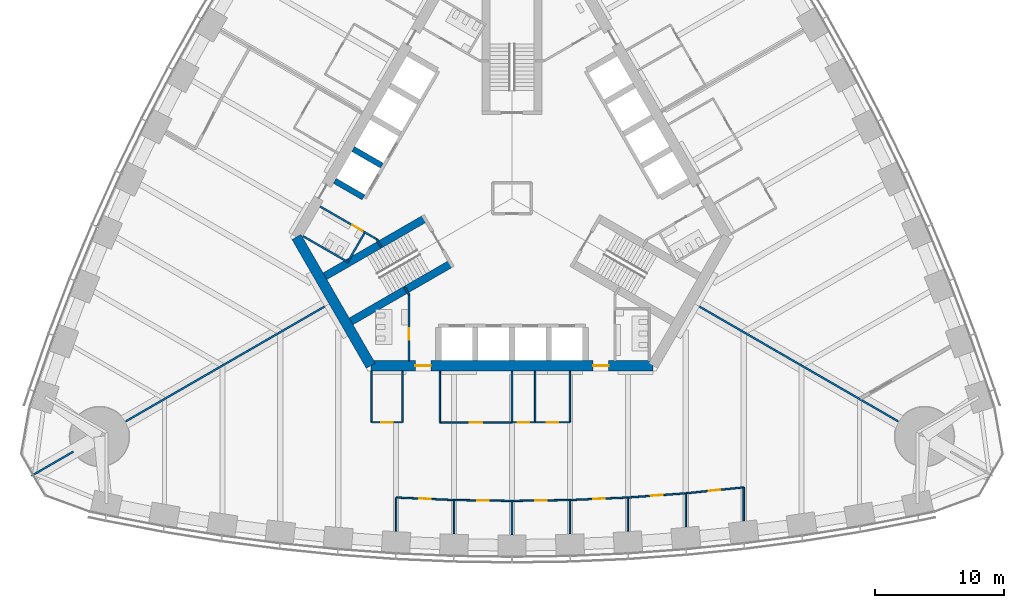
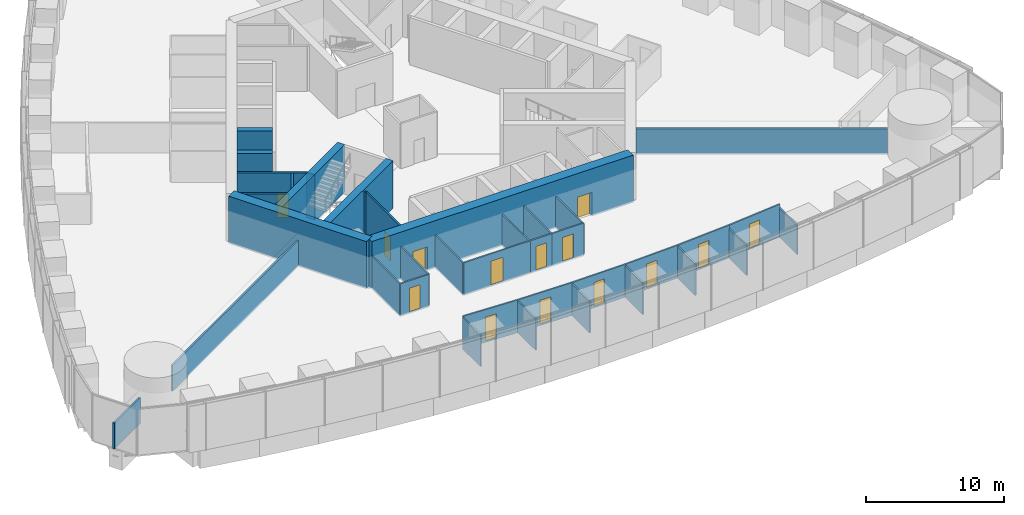
# One storey, part 10 of 18: 38 walls, 14 doors, 14 openings.
"""IFC4 building model written with IfcOpenShell, lengths in metres."""

from ifc_helpers import new_model, si_unit, direction, frame, frame_2d, origin, place, context, subcontext, project, spatial, rectangle, extrude, material, layer, layer_set, type_object, element, fill, save


model = new_model("IFC4")

# Units and contexts
model_context = context("Model", 3, precision=1e-05, world=origin(), true_north=direction((0.0, 1.0)))
body_context = subcontext(model_context, "Body", "Model", "MODEL_VIEW")
ifc_project = project(units=[si_unit("LENGTHUNIT", "METRE"), si_unit("AREAUNIT", "SQUARE_METRE"), si_unit("VOLUMEUNIT", "CUBIC_METRE"), si_unit("PLANEANGLEUNIT", "RADIAN"), si_unit("MASSUNIT", "GRAM", prefix="KILO")], contexts=[model_context])

# Site, building, storey
site_placement = place(None, origin())
site = spatial("IfcSite", under=ifc_project, at=site_placement, CompositionType="ELEMENT")
building_placement = place(site_placement, origin())
building = spatial("IfcBuilding", under=site, at=building_placement, Name="Trefoil Bronze Tower", CompositionType="ELEMENT")
storey_placement = place(building_placement, frame((0.0, 0.0, 71.10009765625)))
storey = spatial("IfcBuildingStorey", under=building, at=storey_placement, Name="L16", CompositionType="ELEMENT", Elevation=71.10009765625)

# Wall, openings, doors
ifc_material_1 = material(Name="Concrete B80", Category="concrete")
ifc_layer_1 = layer(ifc_material_1, 0.800048828125)
ifc_layer_set_1 = layer_set([ifc_layer_1], Name="Core wall 800")
wall_type_1 = type_object("IfcWallType", Name="Core wall 800", PredefinedType="SHEAR", material=ifc_layer_set_1)
wall_1_placement = place(storey_placement, frame((-10.9697265625, -13.0, 0.0), z_axis=(0.0, 0.0, 1.0), x_axis=(1.0, 0.0, 0.0)))
wall_1 = element("IfcWall", 1, at=wall_1_placement, inside=storey, type_object=wall_type_1, Name="Core long wall 1 L16", PredefinedType="SHEAR", context=body_context, shape_type="SweptSolid", body=[
    extrude(rectangle(XDim=21.939453125, YDim=0.800048828125, at=frame_2d((10.9697265625, 0.0))), origin(), (0.0, 0.0, 1.0), 4.199951171875),
])
opening_1_placement = place(wall_1_placement, frame((17.269775390625, 0.0, 0.0)))
opening_1 = element("IfcOpeningElement", 2, at=opening_1_placement, cuts=wall_1, Name="Opening D2", PredefinedType="OPENING", context=body_context, shape_type="SweptSolid", body=[
    extrude(rectangle(XDim=1.199951171875, YDim=2.10009765625, at=frame_2d((0.60009765625, 1.050048828125))), frame((0.0, 0.409912109375, 0.0), z_axis=(0.0, -1.0, 0.0), x_axis=(1.0, 0.0, 0.0)), (0.0, 0.0, 1.0), 0.820068359375),
])
opening_2_placement = place(wall_1_placement, frame((3.4697265625, 0.0, 0.0)))
opening_2 = element("IfcOpeningElement", 3, at=opening_2_placement, cuts=wall_1, Name="Opening D2", PredefinedType="OPENING", context=body_context, shape_type="SweptSolid", body=[
    extrude(rectangle(XDim=1.199951171875, YDim=2.10009765625, at=frame_2d((0.60009765625, 1.050048828125))), frame((0.0, 0.409912109375, 0.0), z_axis=(0.0, -1.0, 0.0), x_axis=(1.0, 0.0, 0.0)), (0.0, 0.0, 1.0), 0.820068359375),
])
ifc_material_2 = material(Name="Steel door", Category="steel")
door_type_1 = type_object("IfcDoorType", Name="Lobby door 1200", OperationType="SINGLE_SWING_RIGHT", PredefinedType="DOOR", material=ifc_material_2)
door_1_placement = place(opening_1_placement, origin())
door_1 = element("IfcDoor", 4, at=door_1_placement, inside=storey, type_object=door_type_1, Name="Lobby door F1+ L16", OperationType="SINGLE_SWING_RIGHT", OverallHeight=2.10009765625, OverallWidth=1.199951171875, PredefinedType="DOOR", context=body_context, shape_type="SweptSolid", body=[
    extrude(rectangle(XDim=1.199951171875, YDim=2.10009765625, at=frame_2d((0.60009765625, 1.050048828125))), frame((0.0, 0.02490234375, 0.0), z_axis=(0.0, -1.0, 0.0), x_axis=(1.0, 0.0, 0.0)), (0.0, 0.0, 1.0), 0.050048828125),
])
fill(opening_1, door_1)
door_2_placement = place(opening_2_placement, origin())
door_2 = element("IfcDoor", 5, at=door_2_placement, inside=storey, type_object=door_type_1, Name="Lobby door F1- L16", OperationType="SINGLE_SWING_LEFT", OverallHeight=2.10009765625, OverallWidth=1.199951171875, PredefinedType="DOOR", context=body_context, shape_type="SweptSolid", body=[
    extrude(rectangle(XDim=1.199951171875, YDim=2.10009765625, at=frame_2d((0.60009765625, 1.050048828125))), frame((0.0, 0.02490234375, 0.0), z_axis=(0.0, -1.0, 0.0), x_axis=(1.0, 0.0, 0.0)), (0.0, 0.0, 1.0), 0.050048828125),
])
fill(opening_2, door_2)

# Wall
wall_2_placement = place(storey_placement, frame((-16.7431640625, -3.0, 0.0), z_axis=(0.0, 0.0, 1.0), x_axis=(0.499995765644, -0.866027848477, 0.0)))
element("IfcWall", 6, at=wall_2_placement, inside=storey, type_object=wall_type_1, Name="Core short wall 3 L16", PredefinedType="SHEAR", context=body_context, shape_type="SweptSolid", body=[
    extrude(rectangle(XDim=11.546875, YDim=0.800048828125, at=frame_2d((5.7734375, 0.0))), origin(), (0.0, 0.0, 1.0), 4.199951171875),
])

# Wall, opening, door
ifc_material_3 = material(Name="Glazed partition", Category="glass")
ifc_layer_2 = layer(ifc_material_3, 0.1201171875)
ifc_layer_set_2 = layer_set([ifc_layer_2], Name="Glazed partition 120")
wall_type_2 = type_object("IfcWallType", Name="Glazed partition 120", PredefinedType="PARTITIONING", material=ifc_layer_set_2)
wall_3_placement = place(storey_placement, frame((1.800048828125, -17.39990234375, 0.0), z_axis=(0.0, 0.0, 1.0), x_axis=(1.0, 0.0, 0.0)))
wall_3 = element("IfcWall", 7, at=wall_3_placement, inside=storey, type_object=wall_type_2, Name="Partition F1 L16", PredefinedType="PARTITIONING", context=body_context, shape_type="SweptSolid", body=[
    extrude(rectangle(XDim=2.699951171875, YDim=0.1201171875, at=frame_2d((1.35009765625, 0.0))), origin(), (0.0, 0.0, 1.0), 2.89990234375),
])
opening_3_placement = place(wall_3_placement, frame((0.89990234375, 0.0, 0.14990234375)))
opening_3 = element("IfcOpeningElement", 8, at=opening_3_placement, cuts=wall_3, Name="Opening D8", PredefinedType="OPENING", context=body_context, shape_type="SweptSolid", body=[
    extrude(rectangle(XDim=0.89990234375, YDim=2.10009765625, at=frame_2d((0.449951171875, 1.050048828125))), frame((0.0, 0.070068359375, 0.0), z_axis=(0.0, -1.0, 0.0), x_axis=(1.0, 0.0, 0.0)), (0.0, 0.0, 1.0), 0.14013671875),
])
ifc_material_4 = material(Name="Timber door", Category="wood")
door_type_2 = type_object("IfcDoorType", Name="Office door 900", OperationType="SINGLE_SWING_LEFT", PredefinedType="DOOR", material=ifc_material_4)
door_3_placement = place(opening_3_placement, origin())
door_3 = element("IfcDoor", 9, at=door_3_placement, inside=storey, type_object=door_type_2, Name="Pantry door F1 L16", OperationType="SINGLE_SWING_LEFT", OverallHeight=2.10009765625, OverallWidth=0.89990234375, PredefinedType="DOOR", context=body_context, shape_type="SweptSolid", body=[
    extrude(rectangle(XDim=0.89990234375, YDim=2.10009765625, at=frame_2d((0.449951171875, 1.050048828125))), frame((0.0, 0.02490234375, 0.0), z_axis=(0.0, -1.0, 0.0), x_axis=(1.0, 0.0, 0.0)), (0.0, 0.0, 1.0), 0.050048828125),
])
fill(opening_3, door_3)

wall_4_placement = place(storey_placement, frame((0.0, -17.39990234375, 0.0), z_axis=(0.0, 0.0, 1.0), x_axis=(1.0, 0.0, 0.0)))
wall_4 = element("IfcWall", 10, at=wall_4_placement, inside=storey, type_object=wall_type_2, Name="Partition F1 L16", PredefinedType="PARTITIONING", context=body_context, shape_type="SweptSolid", body=[
    extrude(rectangle(XDim=1.800048828125, YDim=0.1201171875, at=frame_2d((0.89990234375, 0.0))), origin(), (0.0, 0.0, 1.0), 2.89990234375),
])
opening_4_placement = place(wall_4_placement, frame((0.449951171875, 0.0, 0.14990234375)))
opening_4 = element("IfcOpeningElement", 11, at=opening_4_placement, cuts=wall_4, Name="Opening D8", PredefinedType="OPENING", context=body_context, shape_type="SweptSolid", body=[
    extrude(rectangle(XDim=0.89990234375, YDim=2.10009765625, at=frame_2d((0.449951171875, 1.050048828125))), frame((0.0, 0.070068359375, 0.0), z_axis=(0.0, -1.0, 0.0), x_axis=(1.0, 0.0, 0.0)), (0.0, 0.0, 1.0), 0.14013671875),
])
door_4_placement = place(opening_4_placement, origin())
door_4 = element("IfcDoor", 12, at=door_4_placement, inside=storey, type_object=door_type_2, Name="Focus room door F1 L16", OperationType="SINGLE_SWING_RIGHT", OverallHeight=2.10009765625, OverallWidth=0.89990234375, PredefinedType="DOOR", context=body_context, shape_type="SweptSolid", body=[
    extrude(rectangle(XDim=0.89990234375, YDim=2.10009765625, at=frame_2d((0.449951171875, 1.050048828125))), frame((0.0, 0.02490234375, 0.0), z_axis=(0.0, -1.0, 0.0), x_axis=(1.0, 0.0, 0.0)), (0.0, 0.0, 1.0), 0.050048828125),
])
fill(opening_4, door_4)

wall_5_placement = place(storey_placement, frame((-10.89990234375, -17.39990234375, 0.0), z_axis=(0.0, 0.0, 1.0), x_axis=(1.0, 0.0, 0.0)))
wall_5 = element("IfcWall", 13, at=wall_5_placement, inside=storey, type_object=wall_type_2, Name="Partition F1 L16", PredefinedType="PARTITIONING", context=body_context, shape_type="SweptSolid", body=[
    extrude(rectangle(XDim=2.39990234375, YDim=0.1201171875, at=frame_2d((1.199951171875, 0.0))), origin(), (0.0, 0.0, 1.0), 2.89990234375),
])
opening_5_placement = place(wall_5_placement, frame((0.75, 0.0, 0.14990234375)))
opening_5 = element("IfcOpeningElement", 14, at=opening_5_placement, cuts=wall_5, Name="Opening D8", PredefinedType="OPENING", context=body_context, shape_type="SweptSolid", body=[
    extrude(rectangle(XDim=0.89990234375, YDim=2.10009765625, at=frame_2d((0.449951171875, 1.050048828125))), frame((0.0, 0.070068359375, 0.0), z_axis=(0.0, -1.0, 0.0), x_axis=(1.0, 0.0, 0.0)), (0.0, 0.0, 1.0), 0.14013671875),
])
door_5_placement = place(opening_5_placement, origin())
door_5 = element("IfcDoor", 15, at=door_5_placement, inside=storey, type_object=door_type_2, Name="Store door F1 L16", OperationType="SINGLE_SWING_LEFT", OverallHeight=2.10009765625, OverallWidth=0.89990234375, PredefinedType="DOOR", context=body_context, shape_type="SweptSolid", body=[
    extrude(rectangle(XDim=0.89990234375, YDim=2.10009765625, at=frame_2d((0.449951171875, 1.050048828125))), frame((0.0, 0.02490234375, 0.0), z_axis=(0.0, -1.0, 0.0), x_axis=(1.0, 0.0, 0.0)), (0.0, 0.0, 1.0), 0.050048828125),
])
fill(opening_5, door_5)

wall_6_placement = place(storey_placement, frame((-5.60009765625, -17.39990234375, 0.0), z_axis=(0.0, 0.0, 1.0), x_axis=(1.0, 0.0, 0.0)))
wall_6 = element("IfcWall", 16, at=wall_6_placement, inside=storey, type_object=wall_type_2, Name="Partition F1 L16", PredefinedType="PARTITIONING", context=body_context, shape_type="SweptSolid", body=[
    extrude(rectangle(XDim=5.60009765625, YDim=0.1201171875, at=frame_2d((2.800048828125, 0.0))), origin(), (0.0, 0.0, 1.0), 2.89990234375),
])
opening_6_placement = place(wall_6_placement, frame((2.300048828125, 0.0, 0.14990234375)))
opening_6 = element("IfcOpeningElement", 17, at=opening_6_placement, cuts=wall_6, Name="Opening D9", PredefinedType="OPENING", context=body_context, shape_type="SweptSolid", body=[
    extrude(rectangle(XDim=1.0, YDim=2.10009765625, at=frame_2d((0.5, 1.050048828125))), frame((0.0, 0.070068359375, 0.0), z_axis=(0.0, -1.0, 0.0), x_axis=(1.0, 0.0, 0.0)), (0.0, 0.0, 1.0), 0.14013671875),
])
ifc_material_5 = material(Name="Glazed timber door", Category="wood")
door_type_3 = type_object("IfcDoorType", Name="Meeting room door 1000", OperationType="SINGLE_SWING_LEFT", PredefinedType="DOOR", material=ifc_material_5)
door_6_placement = place(opening_6_placement, origin())
door_6 = element("IfcDoor", 18, at=door_6_placement, inside=storey, type_object=door_type_3, Name="Meeting room door F1 L16", OperationType="SINGLE_SWING_LEFT", OverallHeight=2.10009765625, OverallWidth=1.0, PredefinedType="DOOR", context=body_context, shape_type="SweptSolid", body=[
    extrude(rectangle(XDim=1.0, YDim=2.10009765625, at=frame_2d((0.5, 1.050048828125))), frame((0.0, 0.02490234375, 0.0), z_axis=(0.0, -1.0, 0.0), x_axis=(1.0, 0.0, 0.0)), (0.0, 0.0, 1.0), 0.050048828125),
])
fill(opening_6, door_6)

# Walls
wall_7_placement = place(storey_placement, frame((1.800048828125, -13.39990234375, 0.0), z_axis=(0.0, 0.0, 1.0), x_axis=(0.0, -1.0, 0.0)))
element("IfcWall", 19, at=wall_7_placement, inside=storey, type_object=wall_type_2, Name="Partition F1 L16", PredefinedType="PARTITIONING", context=body_context, shape_type="SweptSolid", body=[
    extrude(rectangle(XDim=4.0, YDim=0.1201171875, at=frame_2d((2.0, 0.0))), origin(), (0.0, 0.0, 1.0), 2.89990234375),
])
for number, where, z_axis, x_axis, name in (
    (20, (4.5, -13.39990234375, 0.0), (0.0, 0.0, 1.0), (0.0, -1.0, 0.0), "Partition F1 L16"),
    (21, (0.0, -13.39990234375, 0.0), (0.0, 0.0, 1.0), (0.0, -1.0, 0.0), "Partition F1 L16"),
):
    element("IfcWall", number, at=place(storey_placement, frame(where, z_axis=z_axis, x_axis=x_axis)), inside=storey, type_object=wall_type_2, Name=name, PredefinedType="PARTITIONING", context=body_context, shape_type="SweptSolid", body=[
        extrude(rectangle(XDim=4.0, YDim=0.1201171875, at=frame_2d((2.0, 0.0))), origin(), (0.0, 0.0, 1.0), 2.7998046875),
    ])
for number, where, z_axis, x_axis, name in (
    (22, (-10.89990234375, -13.39990234375, 0.0), (0.0, 0.0, 1.0), (0.0, -1.0, 0.0), "Partition F1 L16"),
    (23, (-5.60009765625, -13.39990234375, 0.0), (0.0, 0.0, 1.0), (0.0, -1.0, 0.0), "Partition F1 L16"),
    (24, (-8.5, -13.39990234375, 0.0), (0.0, 0.0, 1.0), (0.0, -1.0, 0.0), "Partition F1 L16"),
):
    element("IfcWall", number, at=place(storey_placement, frame(where, z_axis=z_axis, x_axis=x_axis)), inside=storey, type_object=wall_type_2, Name=name, PredefinedType="PARTITIONING", context=body_context, shape_type="SweptSolid", body=[
        extrude(rectangle(XDim=4.0, YDim=0.1201171875, at=frame_2d((2.0, 0.0))), origin(), (0.0, 0.0, 1.0), 2.89990234375),
    ])

# Wall, opening, door
wall_8_placement = place(storey_placement, frame((0.0, -23.498779296875, 0.0), z_axis=(0.0, 0.0, 1.0), x_axis=(0.999894311967, 0.014538393859, 0.0)))
wall_8 = element("IfcWall", 25, at=wall_8_placement, inside=storey, type_object=wall_type_2, Name="Partition F1 L16", PredefinedType="PARTITIONING", context=body_context, shape_type="SweptSolid", body=[
    extrude(rectangle(XDim=4.50048828125, YDim=0.1201171875, at=frame_2d((2.250244140625, 0.0))), origin(), (0.0, 0.0, 1.0), 2.89990234375),
])
opening_7_placement = place(wall_8_placement, frame((1.800048828125, 0.0, 0.14990234375)))
opening_7 = element("IfcOpeningElement", 26, at=opening_7_placement, cuts=wall_8, Name="Opening D8", PredefinedType="OPENING", context=body_context, shape_type="SweptSolid", body=[
    extrude(rectangle(XDim=0.89990234375, YDim=2.10009765625, at=frame_2d((0.449951171875, 1.050048828125))), frame((0.0, 0.070068359375, 0.0), z_axis=(0.0, -1.0, 0.0), x_axis=(1.0, 0.0, 0.0)), (0.0, 0.0, 1.0), 0.14013671875),
])
door_7_placement = place(opening_7_placement, frame((0.89990234375, 0.0, 0.0), z_axis=(0.0, 0.0, 1.0), x_axis=(-1.0, 0.0, 0.0)))
door_7 = element("IfcDoor", 27, at=door_7_placement, inside=storey, type_object=door_type_2, Name="Office door F1 L16", OperationType="SINGLE_SWING_RIGHT", OverallHeight=2.10009765625, OverallWidth=0.89990234375, PredefinedType="DOOR", context=body_context, shape_type="SweptSolid", body=[
    extrude(rectangle(XDim=0.89990234375, YDim=2.10009765625, at=frame_2d((0.449951171875, 1.050048828125))), frame((0.0, 0.02490234375, 0.0), z_axis=(0.0, -1.0, 0.0), x_axis=(1.0, 0.0, 0.0)), (0.0, 0.0, 1.0), 0.050048828125),
])
fill(opening_7, door_7)

wall_9_placement = place(storey_placement, frame((13.5, -22.909912109375, 0.0), z_axis=(0.0, 0.0, 1.0), x_axis=(0.994833141332, 0.101523499286, 0.0)))
wall_9 = element("IfcWall", 28, at=wall_9_placement, inside=storey, type_object=wall_type_2, Name="Partition F1 L16", PredefinedType="PARTITIONING", context=body_context, shape_type="SweptSolid", body=[
    extrude(rectangle(XDim=4.5234375, YDim=0.1201171875, at=frame_2d((2.26171875, 0.0))), origin(), (0.0, 0.0, 1.0), 2.89990234375),
])
opening_8_placement = place(wall_9_placement, frame((1.800048828125, 0.0, 0.14990234375)))
opening_8 = element("IfcOpeningElement", 29, at=opening_8_placement, cuts=wall_9, Name="Opening D8", PredefinedType="OPENING", context=body_context, shape_type="SweptSolid", body=[
    extrude(rectangle(XDim=0.89990234375, YDim=2.10009765625, at=frame_2d((0.449951171875, 1.050048828125))), frame((0.0, 0.070068359375, 0.0), z_axis=(0.0, -1.0, 0.0), x_axis=(1.0, 0.0, 0.0)), (0.0, 0.0, 1.0), 0.14013671875),
])
door_8_placement = place(opening_8_placement, frame((0.89990234375, 0.0, 0.0), z_axis=(0.0, 0.0, 1.0), x_axis=(-1.0, 0.0, 0.0)))
door_8 = element("IfcDoor", 30, at=door_8_placement, inside=storey, type_object=door_type_2, Name="Office door F1 L16", OperationType="SINGLE_SWING_RIGHT", OverallHeight=2.10009765625, OverallWidth=0.89990234375, PredefinedType="DOOR", context=body_context, shape_type="SweptSolid", body=[
    extrude(rectangle(XDim=0.89990234375, YDim=2.10009765625, at=frame_2d((0.449951171875, 1.050048828125))), frame((0.0, 0.02490234375, 0.0), z_axis=(0.0, -1.0, 0.0), x_axis=(1.0, 0.0, 0.0)), (0.0, 0.0, 1.0), 0.050048828125),
])
fill(opening_8, door_8)

wall_10_placement = place(storey_placement, frame((4.5, -23.433349609375, 0.0), z_axis=(0.0, 0.0, 1.0), x_axis=(0.999052370647, 0.043524254212, 0.0)))
wall_10 = element("IfcWall", 31, at=wall_10_placement, inside=storey, type_object=wall_type_2, Name="Partition F1 L16", PredefinedType="PARTITIONING", context=body_context, shape_type="SweptSolid", body=[
    extrude(rectangle(XDim=4.504150390625, YDim=0.1201171875, at=frame_2d((2.251953125, 0.0))), origin(), (0.0, 0.0, 1.0), 2.89990234375),
])
opening_9_placement = place(wall_10_placement, frame((1.800048828125, 0.0, 0.14990234375)))
opening_9 = element("IfcOpeningElement", 32, at=opening_9_placement, cuts=wall_10, Name="Opening D8", PredefinedType="OPENING", context=body_context, shape_type="SweptSolid", body=[
    extrude(rectangle(XDim=0.89990234375, YDim=2.10009765625, at=frame_2d((0.449951171875, 1.050048828125))), frame((0.0, 0.070068359375, 0.0), z_axis=(0.0, -1.0, 0.0), x_axis=(1.0, 0.0, 0.0)), (0.0, 0.0, 1.0), 0.14013671875),
])
door_9_placement = place(opening_9_placement, frame((0.89990234375, 0.0, 0.0), z_axis=(0.0, 0.0, 1.0), x_axis=(-1.0, 0.0, 0.0)))
door_9 = element("IfcDoor", 33, at=door_9_placement, inside=storey, type_object=door_type_2, Name="Office door F1 L16", OperationType="SINGLE_SWING_RIGHT", OverallHeight=2.10009765625, OverallWidth=0.89990234375, PredefinedType="DOOR", context=body_context, shape_type="SweptSolid", body=[
    extrude(rectangle(XDim=0.89990234375, YDim=2.10009765625, at=frame_2d((0.449951171875, 1.050048828125))), frame((0.0, 0.02490234375, 0.0), z_axis=(0.0, -1.0, 0.0), x_axis=(1.0, 0.0, 0.0)), (0.0, 0.0, 1.0), 0.050048828125),
])
fill(opening_9, door_9)

wall_11_placement = place(storey_placement, frame((9.0, -23.2373046875, 0.0), z_axis=(0.0, 0.0, 1.0), x_axis=(0.997363894896, 0.072562119306, 0.0)))
wall_11 = element("IfcWall", 34, at=wall_11_placement, inside=storey, type_object=wall_type_2, Name="Partition F1 L16", PredefinedType="PARTITIONING", context=body_context, shape_type="SweptSolid", body=[
    extrude(rectangle(XDim=4.511962890625, YDim=0.1201171875, at=frame_2d((2.255859375, 0.0))), origin(), (0.0, 0.0, 1.0), 2.89990234375),
])
opening_10_placement = place(wall_11_placement, frame((1.800048828125, 0.0, 0.14990234375)))
opening_10 = element("IfcOpeningElement", 35, at=opening_10_placement, cuts=wall_11, Name="Opening D8", PredefinedType="OPENING", context=body_context, shape_type="SweptSolid", body=[
    extrude(rectangle(XDim=0.89990234375, YDim=2.10009765625, at=frame_2d((0.449951171875, 1.050048828125))), frame((0.0, 0.070068359375, 0.0), z_axis=(0.0, -1.0, 0.0), x_axis=(1.0, 0.0, 0.0)), (0.0, 0.0, 1.0), 0.14013671875),
])
door_10_placement = place(opening_10_placement, frame((0.89990234375, 0.0, 0.0), z_axis=(0.0, 0.0, 1.0), x_axis=(-1.0, 0.0, 0.0)))
door_10 = element("IfcDoor", 36, at=door_10_placement, inside=storey, type_object=door_type_2, Name="Office door F1 L16", OperationType="SINGLE_SWING_RIGHT", OverallHeight=2.10009765625, OverallWidth=0.89990234375, PredefinedType="DOOR", context=body_context, shape_type="SweptSolid", body=[
    extrude(rectangle(XDim=0.89990234375, YDim=2.10009765625, at=frame_2d((0.449951171875, 1.050048828125))), frame((0.0, 0.02490234375, 0.0), z_axis=(0.0, -1.0, 0.0), x_axis=(1.0, 0.0, 0.0)), (0.0, 0.0, 1.0), 0.050048828125),
])
fill(opening_10, door_10)

wall_12_placement = place(storey_placement, frame((-4.5, -23.433349609375, 0.0), z_axis=(0.0, 0.0, 1.0), x_axis=(0.999894311967, -0.014538393859, 0.0)))
wall_12 = element("IfcWall", 37, at=wall_12_placement, inside=storey, type_object=wall_type_2, Name="Partition F1 L16", PredefinedType="PARTITIONING", context=body_context, shape_type="SweptSolid", body=[
    extrude(rectangle(XDim=4.50048828125, YDim=0.1201171875, at=frame_2d((2.250244140625, 0.0))), origin(), (0.0, 0.0, 1.0), 2.89990234375),
])
opening_11_placement = place(wall_12_placement, frame((1.800048828125, 0.0, 0.14990234375)))
opening_11 = element("IfcOpeningElement", 38, at=opening_11_placement, cuts=wall_12, Name="Opening D8", PredefinedType="OPENING", context=body_context, shape_type="SweptSolid", body=[
    extrude(rectangle(XDim=0.89990234375, YDim=2.10009765625, at=frame_2d((0.449951171875, 1.050048828125))), frame((0.0, 0.070068359375, 0.0), z_axis=(0.0, -1.0, 0.0), x_axis=(1.0, 0.0, 0.0)), (0.0, 0.0, 1.0), 0.14013671875),
])
door_11_placement = place(opening_11_placement, frame((0.89990234375, 0.0, 0.0), z_axis=(0.0, 0.0, 1.0), x_axis=(-1.0, 0.0, 0.0)))
door_11 = element("IfcDoor", 39, at=door_11_placement, inside=storey, type_object=door_type_2, Name="Office door F1 L16", OperationType="SINGLE_SWING_RIGHT", OverallHeight=2.10009765625, OverallWidth=0.89990234375, PredefinedType="DOOR", context=body_context, shape_type="SweptSolid", body=[
    extrude(rectangle(XDim=0.89990234375, YDim=2.10009765625, at=frame_2d((0.449951171875, 1.050048828125))), frame((0.0, 0.02490234375, 0.0), z_axis=(0.0, -1.0, 0.0), x_axis=(1.0, 0.0, 0.0)), (0.0, 0.0, 1.0), 0.050048828125),
])
fill(opening_11, door_11)

wall_13_placement = place(storey_placement, frame((-9.0, -23.2373046875, 0.0), z_axis=(0.0, 0.0, 1.0), x_axis=(0.999052370647, -0.043524254212, 0.0)))
wall_13 = element("IfcWall", 40, at=wall_13_placement, inside=storey, type_object=wall_type_2, Name="Partition F1 L16", PredefinedType="PARTITIONING", context=body_context, shape_type="SweptSolid", body=[
    extrude(rectangle(XDim=4.504150390625, YDim=0.1201171875, at=frame_2d((2.251953125, 0.0))), origin(), (0.0, 0.0, 1.0), 2.89990234375),
])
opening_12_placement = place(wall_13_placement, frame((1.800048828125, 0.0, 0.14990234375)))
opening_12 = element("IfcOpeningElement", 41, at=opening_12_placement, cuts=wall_13, Name="Opening D8", PredefinedType="OPENING", context=body_context, shape_type="SweptSolid", body=[
    extrude(rectangle(XDim=0.89990234375, YDim=2.10009765625, at=frame_2d((0.449951171875, 1.050048828125))), frame((0.0, 0.070068359375, 0.0), z_axis=(0.0, -1.0, 0.0), x_axis=(1.0, 0.0, 0.0)), (0.0, 0.0, 1.0), 0.14013671875),
])
door_12_placement = place(opening_12_placement, frame((0.89990234375, 0.0, 0.0), z_axis=(0.0, 0.0, 1.0), x_axis=(-1.0, 0.0, 0.0)))
door_12 = element("IfcDoor", 42, at=door_12_placement, inside=storey, type_object=door_type_2, Name="Office door F1 L16", OperationType="SINGLE_SWING_RIGHT", OverallHeight=2.10009765625, OverallWidth=0.89990234375, PredefinedType="DOOR", context=body_context, shape_type="SweptSolid", body=[
    extrude(rectangle(XDim=0.89990234375, YDim=2.10009765625, at=frame_2d((0.449951171875, 1.050048828125))), frame((0.0, 0.02490234375, 0.0), z_axis=(0.0, -1.0, 0.0), x_axis=(1.0, 0.0, 0.0)), (0.0, 0.0, 1.0), 0.050048828125),
])
fill(opening_12, door_12)

# Walls
wall_14_placement = place(storey_placement, frame((0.0, -23.498779296875, 0.0), z_axis=(0.0, 0.0, 1.0), x_axis=(0.0, -1.0, 0.0)))
element("IfcWall", 43, at=wall_14_placement, inside=storey, type_object=wall_type_2, Name="Partition F1 L16", PredefinedType="PARTITIONING", context=body_context, shape_type="SweptSolid", body=[
    extrude(rectangle(XDim=2.619873046875, YDim=0.1201171875, at=frame_2d((1.31005859375, 0.0))), origin(), (0.0, 0.0, 1.0), 2.7998046875),
])
wall_15_placement = place(storey_placement, frame((13.5, -22.909912109375, 0.0), z_axis=(0.0, 0.0, 1.0), x_axis=(0.0, -1.0, 0.0)))
element("IfcWall", 44, at=wall_15_placement, inside=storey, type_object=wall_type_2, Name="Partition F1 L16", PredefinedType="PARTITIONING", context=body_context, shape_type="SweptSolid", body=[
    extrude(rectangle(XDim=2.614013671875, YDim=0.1201171875, at=frame_2d((1.30712890625, 0.0))), origin(), (0.0, 0.0, 1.0), 2.599853515625),
])
wall_16_placement = place(storey_placement, frame((18.0, -22.45068359375, 0.0), z_axis=(0.0, 0.0, 1.0), x_axis=(0.0, -1.0, 0.0)))
element("IfcWall", 45, at=wall_16_placement, inside=storey, type_object=wall_type_2, Name="Partition F1 L16", PredefinedType="PARTITIONING", context=body_context, shape_type="SweptSolid", body=[
    extrude(rectangle(XDim=2.60888671875, YDim=0.1201171875, at=frame_2d((1.304443359375, 0.0))), origin(), (0.0, 0.0, 1.0), 2.599853515625),
])
wall_17_placement = place(storey_placement, frame((4.5, -23.433349609375, 0.0), z_axis=(0.0, 0.0, 1.0), x_axis=(0.0, -1.0, 0.0)))
element("IfcWall", 46, at=wall_17_placement, inside=storey, type_object=wall_type_2, Name="Partition F1 L16", PredefinedType="PARTITIONING", context=body_context, shape_type="SweptSolid", body=[
    extrude(rectangle(XDim=2.619384765625, YDim=0.1201171875, at=frame_2d((1.3095703125, 0.0))), origin(), (0.0, 0.0, 1.0), 2.7998046875),
])
wall_18_placement = place(storey_placement, frame((9.0, -23.2373046875, 0.0), z_axis=(0.0, 0.0, 1.0), x_axis=(0.0, -1.0, 0.0)))
element("IfcWall", 47, at=wall_18_placement, inside=storey, type_object=wall_type_2, Name="Partition F1 L16", PredefinedType="PARTITIONING", context=body_context, shape_type="SweptSolid", body=[
    extrude(rectangle(XDim=2.617431640625, YDim=0.1201171875, at=frame_2d((1.30859375, 0.0))), origin(), (0.0, 0.0, 1.0), 2.7998046875),
])
wall_19_placement = place(storey_placement, frame((-4.5, -23.433349609375, 0.0), z_axis=(0.0, 0.0, 1.0), x_axis=(0.0, -1.0, 0.0)))
element("IfcWall", 48, at=wall_19_placement, inside=storey, type_object=wall_type_2, Name="Partition F1 L16", PredefinedType="PARTITIONING", context=body_context, shape_type="SweptSolid", body=[
    extrude(rectangle(XDim=2.619384765625, YDim=0.1201171875, at=frame_2d((1.3095703125, 0.0))), origin(), (0.0, 0.0, 1.0), 2.7998046875),
])
wall_20_placement = place(storey_placement, frame((-9.0, -23.2373046875, 0.0), z_axis=(0.0, 0.0, 1.0), x_axis=(0.0, -1.0, 0.0)))
element("IfcWall", 49, at=wall_20_placement, inside=storey, type_object=wall_type_2, Name="Partition F1 L16", PredefinedType="PARTITIONING", context=body_context, shape_type="SweptSolid", body=[
    extrude(rectangle(XDim=2.617431640625, YDim=0.1201171875, at=frame_2d((1.30859375, 0.0))), origin(), (0.0, 0.0, 1.0), 2.7998046875),
])
ifc_material_6 = material(Name="Concrete B80", Category="concrete")
ifc_layer_3 = layer(ifc_material_6, 0.449951171875)
ifc_layer_set_3 = layer_set([ifc_layer_3], Name="Outrigger shaft wall 450")
wall_type_3 = type_object("IfcWallType", Name="Outrigger shaft wall 450", PredefinedType="SHEAR", material=ifc_layer_set_3)
for number, where, z_axis, x_axis, name in (
    (50, (-10.10693359375, 2.54443359375, 0.0), (0.0, 0.0, 1.0), (-0.866046643894, 0.499963209246, 0.0), "Lift shaft side wall C3 L16"),
    (51, (-11.531982421875, 0.076171875, 0.0), (0.0, 0.0, 1.0), (-0.866005588531, 0.500034319456, 0.0), "Lift shaft side wall C4 L16"),
):
    element("IfcWall", number, at=place(storey_placement, frame(where, z_axis=z_axis, x_axis=x_axis)), inside=storey, type_object=wall_type_3, Name=name, PredefinedType="SHEAR", context=body_context, shape_type="SweptSolid", body=[
        extrude(rectangle(XDim=2.574951171875, YDim=0.449951171875, at=frame_2d((1.28759765625, 0.0))), origin(), (0.0, 0.0, 1.0), 4.199951171875),
    ])

# Wall, opening, door
ifc_material_7 = material(Name="Gypsum board on steel studs", Category="steel")
ifc_layer_4 = layer(ifc_material_7, 0.14990234375)
ifc_layer_set_4 = layer_set([ifc_layer_4], Name="Partition 150")
wall_type_4 = type_object("IfcWallType", Name="Partition 150", PredefinedType="PARTITIONING", material=ifc_layer_set_4)
wall_21_placement = place(storey_placement, frame((-8.0, -7.5, 0.0), z_axis=(0.0, 0.0, 1.0), x_axis=(0.0, -1.0, 0.0)))
wall_21 = element("IfcWall", 52, at=wall_21_placement, inside=storey, type_object=wall_type_4, Name="Passage wall F1- L16", PredefinedType="PARTITIONING", context=body_context, shape_type="SweptSolid", body=[
    extrude(rectangle(XDim=5.10009765625, YDim=0.14990234375, at=frame_2d((2.550048828125, 0.0))), origin(), (0.0, 0.0, 1.0), 4.0),
])
opening_13_placement = place(wall_21_placement, frame((2.60009765625, 0.0, 0.0)))
opening_13 = element("IfcOpeningElement", 53, at=opening_13_placement, cuts=wall_21, Name="Opening D3", PredefinedType="OPENING", context=body_context, shape_type="SweptSolid", body=[
    extrude(rectangle(XDim=0.89990234375, YDim=2.10009765625, at=frame_2d((0.449951171875, 1.050048828125))), frame((0.0, 0.0849609375, 0.0), z_axis=(0.0, -1.0, 0.0), x_axis=(1.0, 0.0, 0.0)), (0.0, 0.0, 1.0), 0.169921875),
])
ifc_material_8 = material(Name="Timber door", Category="wood")
door_type_4 = type_object("IfcDoorType", Name="WC door 900", OperationType="SINGLE_SWING_LEFT", PredefinedType="DOOR", material=ifc_material_8)
door_13_placement = place(opening_13_placement, frame((0.89990234375, 0.0, 0.0), z_axis=(0.0, 0.0, 1.0), x_axis=(-1.0, 0.0, 0.0)))
door_13 = element("IfcDoor", 54, at=door_13_placement, inside=storey, type_object=door_type_4, Name="WC (women) door L16", OperationType="SINGLE_SWING_LEFT", OverallHeight=2.10009765625, OverallWidth=0.89990234375, PredefinedType="DOOR", context=body_context, shape_type="SweptSolid", body=[
    extrude(rectangle(XDim=0.89990234375, YDim=2.10009765625, at=frame_2d((0.449951171875, 1.050048828125))), frame((0.0, 0.02490234375, 0.0), z_axis=(0.0, -1.0, 0.0), x_axis=(1.0, 0.0, 0.0)), (0.0, 0.0, 1.0), 0.050048828125),
])
fill(opening_13, door_13)

wall_22_placement = place(storey_placement, frame((-10.4951171875, -3.17822265625, 0.0), z_axis=(0.0, 0.0, 1.0), x_axis=(-0.86602216432, 0.500005610874, 0.0)))
wall_22 = element("IfcWall", 55, at=wall_22_placement, inside=storey, type_object=wall_type_4, Name="Passage wall F3+ L16", PredefinedType="PARTITIONING", context=body_context, shape_type="SweptSolid", body=[
    extrude(rectangle(XDim=5.10009765625, YDim=0.14990234375, at=frame_2d((2.550048828125, 0.0))), origin(), (0.0, 0.0, 1.0), 4.0),
])
opening_14_placement = place(wall_22_placement, frame((1.300048828125, 0.0, 0.0)))
opening_14 = element("IfcOpeningElement", 56, at=opening_14_placement, cuts=wall_22, Name="Opening D3", PredefinedType="OPENING", context=body_context, shape_type="SweptSolid", body=[
    extrude(rectangle(XDim=0.89990234375, YDim=2.10009765625, at=frame_2d((0.449951171875, 1.050048828125))), frame((0.0, 0.0849609375, 0.0), z_axis=(0.0, -1.0, 0.0), x_axis=(1.0, 0.0, 0.0)), (0.0, 0.0, 1.0), 0.169921875),
])
door_14_placement = place(opening_14_placement, origin())
door_14 = element("IfcDoor", 57, at=door_14_placement, inside=storey, type_object=door_type_4, Name="WC (men) door L16", OperationType="SINGLE_SWING_LEFT", OverallHeight=2.10009765625, OverallWidth=0.89990234375, PredefinedType="DOOR", context=body_context, shape_type="SweptSolid", body=[
    extrude(rectangle(XDim=0.89990234375, YDim=2.10009765625, at=frame_2d((0.449951171875, 1.050048828125))), frame((0.0, 0.02490234375, 0.0), z_axis=(0.0, -1.0, 0.0), x_axis=(1.0, 0.0, 0.0)), (0.0, 0.0, 1.0), 0.050048828125),
])
fill(opening_14, door_14)

# Walls
for number, where, z_axis, x_axis, name in (
    (58, (-10.4951171875, -3.17822265625, 0.0), (0.0, 0.0, 1.0), (0.499842556608, -0.866116284689, 0.0), "WC wall ST3-1 L16"),
    (59, (-8.0, -7.5, 0.0), (0.0, 0.0, 1.0), (-0.499842556608, 0.866116284689, 0.0), "WC wall ST3+1 L16"),
):
    element("IfcWall", number, at=place(storey_placement, frame(where, z_axis=z_axis, x_axis=x_axis)), inside=storey, type_object=wall_type_4, Name=name, PredefinedType="PARTITIONING", context=body_context, shape_type="SweptSolid", body=[
        extrude(rectangle(XDim=0.645263671875, YDim=0.14990234375, at=frame_2d((0.32275390625, 0.0))), origin(), (0.0, 0.0, 1.0), 4.0),
    ])
wall_23_placement = place(storey_placement, frame((-12.691162109375, -4.98193359375, 0.0), z_axis=(0.0, 0.0, 1.0), x_axis=(-0.8660249478, 0.500000789788, 0.0)))
element("IfcWall", 60, at=wall_23_placement, inside=storey, type_object=wall_type_4, Name="WC partition WC (men) L16", PredefinedType="PARTITIONING", context=body_context, shape_type="SweptSolid", body=[
    extrude(rectangle(XDim=4.10009765625, YDim=0.14990234375, at=frame_2d((2.050048828125, 0.0))), origin(), (0.0, 0.0, 1.0), 4.0),
])
wall_24_placement = place(storey_placement, frame((-11.463623046875, -2.70556640625, 0.0), z_axis=(0.0, 0.0, 1.0), x_axis=(-0.50001992892, -0.866013897511, 0.0)))
element("IfcWall", 61, at=wall_24_placement, inside=storey, type_object=wall_type_4, Name="WC partition WC (men) L16", PredefinedType="PARTITIONING", context=body_context, shape_type="SweptSolid", body=[
    extrude(rectangle(XDim=2.51025390625, YDim=0.14990234375, at=frame_2d((1.255126953125, 0.0))), origin(), (0.0, 0.0, 1.0), 4.0),
])
ifc_material_9 = material(Name="Gypsum board on steel studs", Category="steel")
ifc_layer_5 = layer(ifc_material_9, 0.14990234375)
ifc_layer_set_5 = layer_set([ifc_layer_5], Name="Party wall 150")
wall_type_5 = type_object("IfcWallType", Name="Party wall 150", PredefinedType="PARTITIONING", material=ifc_layer_set_5)
for number, where, z_axis, x_axis, name in (
    (62, (14.202880859375, -8.199951171875, 0.0), (0.0, 0.0, 1.0), (0.866024965723, -0.500000758745, 0.0), "Party wall K1 L16"),
    (63, (-14.202880859375, -8.199951171875, 0.0), (0.0, 0.0, 1.0), (-0.866024965723, -0.500000758745, 0.0), "Party wall K3 L16"),
):
    element("IfcWall", number, at=place(storey_placement, frame(where, z_axis=z_axis, x_axis=x_axis)), inside=storey, type_object=wall_type_5, Name=name, PredefinedType="PARTITIONING", context=body_context, shape_type="SweptSolid", body=[
        extrude(rectangle(XDim=18.25, YDim=0.14990234375, at=frame_2d((9.125, 0.0))), origin(), (0.0, 0.0, 1.0), 2.2998046875),
    ])
wall_25_placement = place(storey_placement, frame((-34.078125, -19.675048828125, 0.0), z_axis=(0.0, 0.0, 1.0), x_axis=(-0.866019247219, -0.500010663332, 0.0)))
element("IfcWall", 64, at=wall_25_placement, inside=storey, type_object=wall_type_5, Name="Party wall K3 L16", PredefinedType="PARTITIONING", context=body_context, shape_type="SweptSolid", body=[
    extrude(rectangle(XDim=3.76416015625, YDim=0.14990234375, at=frame_2d((1.882080078125, 0.0))), origin(), (0.0, 0.0, 1.0), 2.2998046875),
])
ifc_material_10 = material(Name="Concrete B80", Category="concrete")
ifc_layer_6 = layer(ifc_material_10, 0.60009765625)
ifc_layer_set_6 = layer_set([ifc_layer_6], Name="Stair wall 600")
wall_type_6 = type_object("IfcWallType", Name="Stair wall 600", PredefinedType="SHEAR", material=ifc_layer_set_6)
for number, where, z_axis, x_axis, name in (
    (65, (-6.663330078125, -1.5087890625, 0.0), (0.0, 0.0, 1.0), (-0.866019375473, -0.500010441196, 0.0), "Stair wall ST3 L16"),
    (66, (-4.638427734375, -5.01611328125, 0.0), (0.0, 0.0, 1.0), (-0.866019375473, -0.500010441196, 0.0), "Stair wall ST3 L16"),
):
    element("IfcWall", number, at=place(storey_placement, frame(where, z_axis=z_axis, x_axis=x_axis)), inside=storey, type_object=wall_type_6, Name=name, PredefinedType="SHEAR", context=body_context, shape_type="SweptSolid", body=[
        extrude(rectangle(XDim=9.074951171875, YDim=0.60009765625, at=frame_2d((4.53759765625, 0.0))), origin(), (0.0, 0.0, 1.0), 4.199951171875),
    ])

save(model, "model.ifc")
